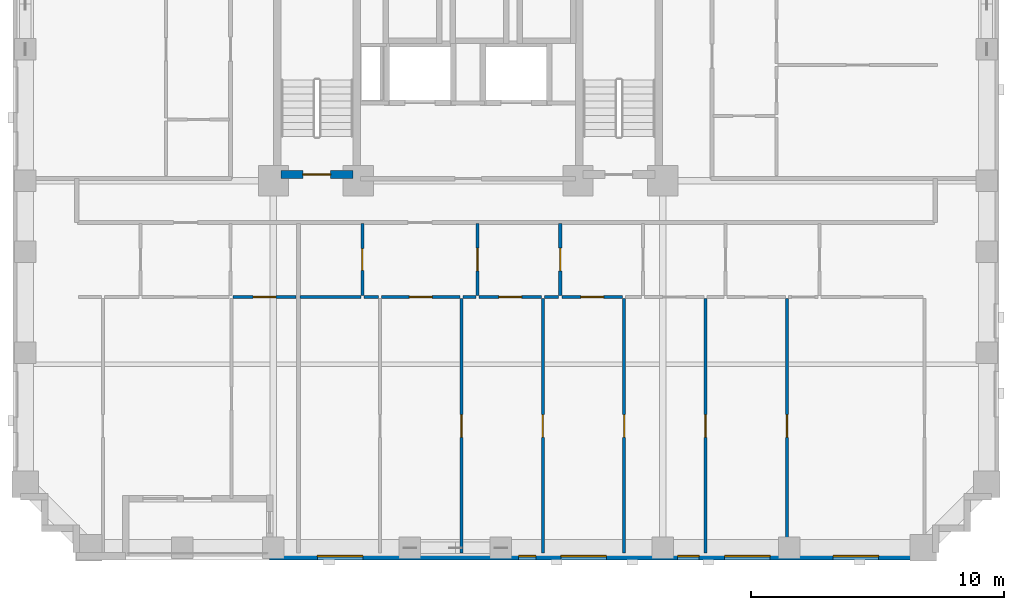
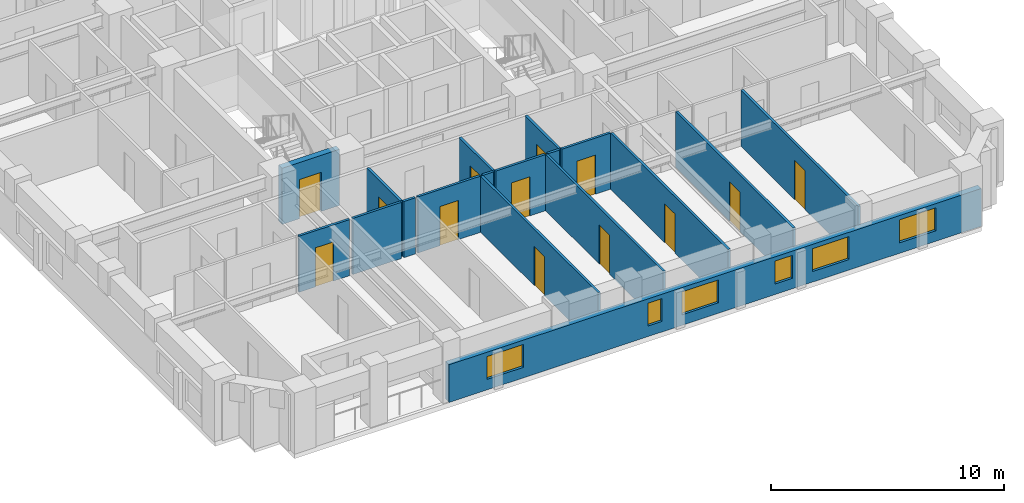
# One storey, part 3 of 14: 18 walls, 13 doors, 6 windows, 19 openings.
"""IFC4 building model written with IfcOpenShell, lengths in metres."""

from ifc_helpers import new_model, si_unit, derived_unit, direction, frame, frame_2d, origin, place, context, subcontext, project, spatial, rectangle, extrude, material, layer, layer_set, type_object, element, fill, save


model = new_model("IFC4")

# Units and contexts
model_context = context("Model", 3, precision=1e-05, world=origin(), true_north=direction((0.0, 1.0)))
body_context = subcontext(model_context, "Body", "Model", "MODEL_VIEW")
ifc_project = project(units=[si_unit("LENGTHUNIT", "METRE"), si_unit("AREAUNIT", "SQUARE_METRE"), si_unit("VOLUMEUNIT", "CUBIC_METRE"), si_unit("PLANEANGLEUNIT", "RADIAN"), si_unit("MASSUNIT", "GRAM", prefix="KILO"), derived_unit("THERMALTRANSMITTANCEUNIT", [(si_unit("MASSUNIT", "GRAM", prefix="KILO"), 1), (si_unit("TIMEUNIT", "SECOND"), -3), (si_unit("THERMODYNAMICTEMPERATUREUNIT", "KELVIN"), -1)])], contexts=[model_context])

# Site, building, storey
site_placement = place(None, origin())
site = spatial("IfcSite", under=ifc_project, at=site_placement, CompositionType="ELEMENT")
building_placement = place(site_placement, origin())
building = spatial("IfcBuilding", under=site, at=building_placement, Name="Korrvale Station Residences", CompositionType="ELEMENT")
storey_placement = place(building_placement, frame((0.0, 0.0, 64.199951171875)))
storey = spatial("IfcBuildingStorey", under=building, at=storey_placement, Name="L17", CompositionType="ELEMENT", Elevation=64.199951171875)

# Wall, opening, door
ifc_material_1 = material(Name="Concrete C70/85", Category="concrete")
ifc_layer_1 = layer(ifc_material_1, 0.300048828125, Name="Concrete C70/85")
ifc_layer_set_1 = layer_set([ifc_layer_1], Name="Concrete C70/85")
wall_type_1 = type_object("IfcWallType", Name="WAL-CORE-300-C70", PredefinedType="SHEAR", material=ifc_layer_set_1)
wall_1_placement = place(storey_placement, frame((18.10009765625, 15.25, 0.0), z_axis=(0.0, 0.0, 1.0), x_axis=(1.0, 0.0, 0.0)))
wall_1 = element("IfcWall", 1, at=wall_1_placement, inside=storey, type_object=wall_type_1, Name="L17 ST-1 Core Shear Wall South", PredefinedType="SHEAR", context=body_context, shape_type="SweptSolid", body=[
    extrude(rectangle(XDim=2.849853515625, YDim=0.300048828125, at=frame_2d((1.4248046875, 0.0))), origin(), (0.0, 0.0, 1.0), 2.93994140625),
])
opening_1_placement = place(wall_1_placement, frame((0.860107421875, 0.0, 0.0)))
opening_1 = element("IfcOpeningElement", 2, at=opening_1_placement, cuts=wall_1, Name="Opening SD-1100", PredefinedType="OPENING", context=body_context, shape_type="SweptSolid", body=[
    extrude(rectangle(XDim=1.10009765625, YDim=2.050048828125, at=frame_2d((0.550048828125, 1.02490234375))), frame((0.0, 0.16015625, 0.0), z_axis=(0.0, -1.0, 0.0), x_axis=(1.0, 0.0, 0.0)), (0.0, 0.0, 1.0), 0.320068359375),
])
ifc_material_2 = material(Name="Hollow-metal fire-rated stair door with closer", Category="steel")
door_type_1 = type_object("IfcDoorType", Name="DR-STAIR-1100", OperationType="NOTDEFINED", PredefinedType="DOOR", material=ifc_material_2)
door_1_placement = place(opening_1_placement, origin())
door_1 = element("IfcDoor", 3, at=door_1_placement, inside=storey, type_object=door_type_1, Name="L17 ST-1 Exit Stair Door", OperationType="SINGLE_SWING_LEFT", OverallHeight=2.050048828125, OverallWidth=1.10009765625, PredefinedType="DOOR", context=body_context, shape_type="SweptSolid", body=[
    extrude(rectangle(XDim=1.10009765625, YDim=2.050048828125, at=frame_2d((0.550048828125, 1.02490234375))), frame((0.0, 0.02490234375, 0.0), z_axis=(0.0, -1.0, 0.0), x_axis=(1.0, 0.0, 0.0)), (0.0, 0.0, 1.0), 0.050048828125),
])
fill(opening_1, door_1)

# Wall, openings, windows
ifc_material_3 = material(Name="Precast concrete C45/55", Category="concrete")
ifc_layer_2 = layer(ifc_material_3, 0.300048828125, Name="Precast concrete C45/55")
ifc_layer_set_2 = layer_set([ifc_layer_2], Name="Precast concrete C45/55")
wall_type_2 = type_object("IfcWallType", Name="WAL-EXT-PC300", PredefinedType="SOLIDWALL", material=ifc_layer_set_2)
wall_2_placement = place(storey_placement, frame((44.0, 0.14990234375, 0.0), z_axis=(0.0, 0.0, 1.0), x_axis=(-1.0, 0.0, 0.0)))
wall_2 = element("IfcWall", 4, at=wall_2_placement, inside=storey, type_object=wall_type_2, Name="L17 South Exterior Precast Wall 1", PredefinedType="SOLIDWALL", context=body_context, shape_type="SweptSolid", body=[
    extrude(rectangle(XDim=26.35009765625, YDim=0.300048828125, at=frame_2d((13.175048828125, 0.0))), origin(), (0.0, 0.0, 1.0), 1.97509765625),
])
opening_2_placement = place(wall_2_placement, frame((22.6650390625, 0.0, 0.550048828125)))
opening_2 = element("IfcOpeningElement", 5, at=opening_2_placement, cuts=wall_2, Name="Opening W-09", PredefinedType="OPENING", context=body_context, shape_type="SweptSolid", body=[
    extrude(rectangle(XDim=1.800048828125, YDim=1.199951171875, at=frame_2d((0.89990234375, 0.60009765625))), frame((0.0, 0.16015625, 0.0), z_axis=(0.0, -1.0, 0.0), x_axis=(1.0, 0.0, 0.0)), (0.0, 0.0, 1.0), 0.320068359375),
])
opening_3_placement = place(wall_2_placement, frame((15.820068359375, 0.0, 0.550048828125)))
opening_3 = element("IfcOpeningElement", 6, at=opening_3_placement, cuts=wall_2, Name="Opening W-12", PredefinedType="OPENING", context=body_context, shape_type="SweptSolid", body=[
    extrude(rectangle(XDim=0.679931640625, YDim=1.199951171875, at=frame_2d((0.33984375, 0.60009765625))), frame((0.0, 0.16015625, 0.0), z_axis=(0.0, -1.0, 0.0), x_axis=(1.0, 0.0, 0.0)), (0.0, 0.0, 1.0), 0.320068359375),
])
opening_4_placement = place(wall_2_placement, frame((13.027099609375, 0.0, 0.550048828125)))
opening_4 = element("IfcOpeningElement", 7, at=opening_4_placement, cuts=wall_2, Name="Opening W-09", PredefinedType="OPENING", context=body_context, shape_type="SweptSolid", body=[
    extrude(rectangle(XDim=1.800048828125, YDim=1.199951171875, at=frame_2d((0.89990234375, 0.60009765625))), frame((0.0, 0.16015625, 0.0), z_axis=(0.0, -1.0, 0.0), x_axis=(1.0, 0.0, 0.0)), (0.0, 0.0, 1.0), 0.320068359375),
])
opening_5_placement = place(wall_2_placement, frame((9.364990234375, 0.0, 0.550048828125)))
opening_5 = element("IfcOpeningElement", 8, at=opening_5_placement, cuts=wall_2, Name="Opening W-11", PredefinedType="OPENING", context=body_context, shape_type="SweptSolid", body=[
    extrude(rectangle(XDim=0.85009765625, YDim=1.199951171875, at=frame_2d((0.425048828125, 0.60009765625))), frame((0.0, 0.16015625, 0.0), z_axis=(0.0, -1.0, 0.0), x_axis=(1.0, 0.0, 0.0)), (0.0, 0.0, 1.0), 0.320068359375),
])
opening_6_placement = place(wall_2_placement, frame((6.552978515625, 0.0, 0.550048828125)))
opening_6 = element("IfcOpeningElement", 9, at=opening_6_placement, cuts=wall_2, Name="Opening W-09", PredefinedType="OPENING", context=body_context, shape_type="SweptSolid", body=[
    extrude(rectangle(XDim=1.800048828125, YDim=1.199951171875, at=frame_2d((0.89990234375, 0.60009765625))), frame((0.0, 0.16015625, 0.0), z_axis=(0.0, -1.0, 0.0), x_axis=(1.0, 0.0, 0.0)), (0.0, 0.0, 1.0), 0.320068359375),
])
opening_7_placement = place(wall_2_placement, frame((2.261962890625, 0.0, 0.550048828125)))
opening_7 = element("IfcOpeningElement", 10, at=opening_7_placement, cuts=wall_2, Name="Opening W-09", PredefinedType="OPENING", context=body_context, shape_type="SweptSolid", body=[
    extrude(rectangle(XDim=1.800048828125, YDim=1.199951171875, at=frame_2d((0.89990234375, 0.60009765625))), frame((0.0, 0.16015625, 0.0), z_axis=(0.0, -1.0, 0.0), x_axis=(1.0, 0.0, 0.0)), (0.0, 0.0, 1.0), 0.320068359375),
])
ifc_material_4 = material(Name="Thermally broken aluminium frame with triple low-e glazing", Category="aluminium")
window_type_1 = type_object("IfcWindowType", Name="WIN-W09", PartitioningType="DOUBLE_PANEL_VERTICAL", PredefinedType="WINDOW", material=ifc_material_4)
window_1_placement = place(opening_2_placement, origin())
window_1 = element("IfcWindow", 11, at=window_1_placement, inside=storey, type_object=window_type_1, Name="L17 Punched Window 05", OverallHeight=1.199951171875, OverallWidth=1.800048828125, PartitioningType="DOUBLE_PANEL_VERTICAL", PredefinedType="WINDOW", context=body_context, shape_type="SweptSolid", body=[
    extrude(rectangle(XDim=1.800048828125, YDim=1.199951171875, at=frame_2d((0.89990234375, 0.60009765625))), frame((0.0, 0.030029296875, 0.0), z_axis=(0.0, -1.0, 0.0), x_axis=(1.0, 0.0, 0.0)), (0.0, 0.0, 1.0), 0.06005859375),
])
fill(opening_2, window_1)
window_2_placement = place(opening_4_placement, origin())
window_2 = element("IfcWindow", 12, at=window_2_placement, inside=storey, type_object=window_type_1, Name="L17 Punched Window 07", OverallHeight=1.199951171875, OverallWidth=1.800048828125, PartitioningType="DOUBLE_PANEL_VERTICAL", PredefinedType="WINDOW", context=body_context, shape_type="SweptSolid", body=[
    extrude(rectangle(XDim=1.800048828125, YDim=1.199951171875, at=frame_2d((0.89990234375, 0.60009765625))), frame((0.0, 0.030029296875, 0.0), z_axis=(0.0, -1.0, 0.0), x_axis=(1.0, 0.0, 0.0)), (0.0, 0.0, 1.0), 0.06005859375),
])
fill(opening_4, window_2)
window_3_placement = place(opening_6_placement, origin())
window_3 = element("IfcWindow", 13, at=window_3_placement, inside=storey, type_object=window_type_1, Name="L17 Punched Window 09", OverallHeight=1.199951171875, OverallWidth=1.800048828125, PartitioningType="DOUBLE_PANEL_VERTICAL", PredefinedType="WINDOW", context=body_context, shape_type="SweptSolid", body=[
    extrude(rectangle(XDim=1.800048828125, YDim=1.199951171875, at=frame_2d((0.89990234375, 0.60009765625))), frame((0.0, 0.030029296875, 0.0), z_axis=(0.0, -1.0, 0.0), x_axis=(1.0, 0.0, 0.0)), (0.0, 0.0, 1.0), 0.06005859375),
])
fill(opening_6, window_3)
window_4_placement = place(opening_7_placement, origin())
window_4 = element("IfcWindow", 14, at=window_4_placement, inside=storey, type_object=window_type_1, Name="L17 Punched Window 10", OverallHeight=1.199951171875, OverallWidth=1.800048828125, PartitioningType="DOUBLE_PANEL_VERTICAL", PredefinedType="WINDOW", context=body_context, shape_type="SweptSolid", body=[
    extrude(rectangle(XDim=1.800048828125, YDim=1.199951171875, at=frame_2d((0.89990234375, 0.60009765625))), frame((0.0, 0.030029296875, 0.0), z_axis=(0.0, -1.0, 0.0), x_axis=(1.0, 0.0, 0.0)), (0.0, 0.0, 1.0), 0.06005859375),
])
fill(opening_7, window_4)
window_type_2 = type_object("IfcWindowType", Name="WIN-W11", PartitioningType="SINGLE_PANEL", PredefinedType="WINDOW", material=ifc_material_4)
window_5_placement = place(opening_5_placement, origin())
window_5 = element("IfcWindow", 15, at=window_5_placement, inside=storey, type_object=window_type_2, Name="L17 Punched Window 08", OverallHeight=1.199951171875, OverallWidth=0.85009765625, PartitioningType="SINGLE_PANEL", PredefinedType="WINDOW", context=body_context, shape_type="SweptSolid", body=[
    extrude(rectangle(XDim=0.85009765625, YDim=1.199951171875, at=frame_2d((0.425048828125, 0.60009765625))), frame((0.0, 0.030029296875, 0.0), z_axis=(0.0, -1.0, 0.0), x_axis=(1.0, 0.0, 0.0)), (0.0, 0.0, 1.0), 0.06005859375),
])
fill(opening_5, window_5)
window_type_3 = type_object("IfcWindowType", Name="WIN-W12", PartitioningType="SINGLE_PANEL", PredefinedType="WINDOW", material=ifc_material_4)
window_6_placement = place(opening_3_placement, origin())
window_6 = element("IfcWindow", 16, at=window_6_placement, inside=storey, type_object=window_type_3, Name="L17 Punched Window 06", OverallHeight=1.199951171875, OverallWidth=0.679931640625, PartitioningType="SINGLE_PANEL", PredefinedType="WINDOW", context=body_context, shape_type="SweptSolid", body=[
    extrude(rectangle(XDim=0.679931640625, YDim=1.199951171875, at=frame_2d((0.33984375, 0.60009765625))), frame((0.0, 0.030029296875, 0.0), z_axis=(0.0, -1.0, 0.0), x_axis=(1.0, 0.0, 0.0)), (0.0, 0.0, 1.0), 0.06005859375),
])
fill(opening_3, window_6)

# Wall, opening, door
ifc_material_5 = material(Name="Acoustic steel-stud gypsum board partition", Category="steel")
ifc_layer_3 = layer(ifc_material_5, 0.1201171875, Name="Acoustic steel-stud gypsum board partition")
ifc_layer_set_3 = layer_set([ifc_layer_3], Name="Acoustic steel-stud gypsum board partition")
wall_type_3 = type_object("IfcWallType", Name="WAL-PART-125", PredefinedType="PARTITIONING", material=ifc_layer_set_3)
wall_3_placement = place(storey_placement, frame((16.196044921875, 10.39990234375, 0.0), z_axis=(0.0, 0.0, 1.0), x_axis=(1.0, 0.0, 0.0)))
wall_3 = element("IfcWall", 17, at=wall_3_placement, inside=storey, type_object=wall_type_3, Name="L17 Suite Partition U01-H25", PredefinedType="PARTITIONING", context=body_context, shape_type="SweptSolid", body=[
    extrude(rectangle(XDim=2.5, YDim=0.1201171875, at=frame_2d((1.25, 0.0))), origin(), (0.0, 0.0, 1.0), 2.93994140625),
])
opening_8_placement = place(wall_3_placement, frame((0.800048828125, 0.0, 0.0)))
opening_8 = element("IfcOpeningElement", 18, at=opening_8_placement, cuts=wall_3, Name="Opening DI-900", PredefinedType="OPENING", context=body_context, shape_type="SweptSolid", body=[
    extrude(rectangle(XDim=0.89990234375, YDim=2.050048828125, at=frame_2d((0.449951171875, 1.02490234375))), frame((0.0, 0.070068359375, 0.0), z_axis=(0.0, -1.0, 0.0), x_axis=(1.0, 0.0, 0.0)), (0.0, 0.0, 1.0), 0.14013671875),
])
ifc_material_6 = material(Name="Painted solid-core timber interior room door", Category="wood")
door_type_2 = type_object("IfcDoorType", Name="DR-INT-900", OperationType="NOTDEFINED", PredefinedType="DOOR", material=ifc_material_6)
door_2_placement = place(opening_8_placement, origin())
door_2 = element("IfcDoor", 19, at=door_2_placement, inside=storey, type_object=door_type_2, Name="L17 Studio Apartment L17-U01 Utility and Laundry Room Door", OperationType="SINGLE_SWING_LEFT", OverallHeight=2.050048828125, OverallWidth=0.89990234375, PredefinedType="DOOR", context=body_context, shape_type="SweptSolid", body=[
    extrude(rectangle(XDim=0.89990234375, YDim=2.050048828125, at=frame_2d((0.449951171875, 1.02490234375))), frame((0.0, 0.02490234375, 0.0), z_axis=(0.0, -1.0, 0.0), x_axis=(1.0, 0.0, 0.0)), (0.0, 0.0, 1.0), 0.050048828125),
])
fill(opening_8, door_2)

wall_4_placement = place(storey_placement, frame((21.31591796875, 10.4599609375, 0.0), z_axis=(0.0, 0.0, 1.0), x_axis=(0.0, 1.0, 0.0)))
wall_4 = element("IfcWall", 20, at=wall_4_placement, inside=storey, type_object=wall_type_3, Name="L17 Suite Partition U02-V01", PredefinedType="PARTITIONING", context=body_context, shape_type="SweptSolid", body=[
    extrude(rectangle(XDim=2.85009765625, YDim=0.1201171875, at=frame_2d((1.425048828125, 0.0))), origin(), (0.0, 0.0, 1.0), 2.93994140625),
])
opening_9_placement = place(wall_4_placement, frame((0.9951171875, 0.0, 0.0)))
opening_9 = element("IfcOpeningElement", 21, at=opening_9_placement, cuts=wall_4, Name="Opening DB-860", PredefinedType="OPENING", context=body_context, shape_type="SweptSolid", body=[
    extrude(rectangle(XDim=0.860107421875, YDim=2.050048828125, at=frame_2d((0.43017578125, 1.02490234375))), frame((0.0, 0.070068359375, 0.0), z_axis=(0.0, -1.0, 0.0), x_axis=(1.0, 0.0, 0.0)), (0.0, 0.0, 1.0), 0.14013671875),
])
ifc_material_7 = material(Name="Moisture-resistant solid-core bathroom door", Category="timber")
door_type_3 = type_object("IfcDoorType", Name="DR-BATH-860", OperationType="NOTDEFINED", PredefinedType="DOOR", material=ifc_material_7)
door_3_placement = place(opening_9_placement, origin())
door_3 = element("IfcDoor", 22, at=door_3_placement, inside=storey, type_object=door_type_3, Name="L17 Studio Apartment L17-U02 Bathroom Door", OperationType="SINGLE_SWING_RIGHT", OverallHeight=2.050048828125, OverallWidth=0.860107421875, PredefinedType="DOOR", context=body_context, shape_type="SweptSolid", body=[
    extrude(rectangle(XDim=0.860107421875, YDim=2.050048828125, at=frame_2d((0.43017578125, 1.02490234375))), frame((0.0, 0.02490234375, 0.0), z_axis=(0.0, -1.0, 0.0), x_axis=(1.0, 0.0, 0.0)), (0.0, 0.0, 1.0), 0.050048828125),
])
fill(opening_9, door_3)

# Wall
wall_5_placement = place(storey_placement, frame((18.85595703125, 10.39990234375, 0.0), z_axis=(0.0, 0.0, 1.0), x_axis=(1.0, 0.0, 0.0)))
element("IfcWall", 23, at=wall_5_placement, inside=storey, type_object=wall_type_3, Name="L17 Suite Partition U02-H07", PredefinedType="PARTITIONING", context=body_context, shape_type="SweptSolid", body=[
    extrude(rectangle(XDim=2.400146484375, YDim=0.1201171875, at=frame_2d((1.2001953125, 0.0))), origin(), (0.0, 0.0, 1.0), 2.93994140625),
])

# Wall, opening, door
wall_6_placement = place(storey_placement, frame((25.8759765625, 10.4599609375, 0.0), z_axis=(0.0, 0.0, 1.0), x_axis=(0.0, 1.0, 0.0)))
wall_6 = element("IfcWall", 24, at=wall_6_placement, inside=storey, type_object=wall_type_3, Name="L17 Suite Partition U02-V12", PredefinedType="PARTITIONING", context=body_context, shape_type="SweptSolid", body=[
    extrude(rectangle(XDim=2.85009765625, YDim=0.1201171875, at=frame_2d((1.425048828125, 0.0))), origin(), (0.0, 0.0, 1.0), 2.93994140625),
])
opening_10_placement = place(wall_6_placement, frame((0.97509765625, 0.0, 0.0)))
opening_10 = element("IfcOpeningElement", 25, at=opening_10_placement, cuts=wall_6, Name="Opening DI-900", PredefinedType="OPENING", context=body_context, shape_type="SweptSolid", body=[
    extrude(rectangle(XDim=0.89990234375, YDim=2.050048828125, at=frame_2d((0.449951171875, 1.02490234375))), frame((0.0, 0.070068359375, 0.0), z_axis=(0.0, -1.0, 0.0), x_axis=(1.0, 0.0, 0.0)), (0.0, 0.0, 1.0), 0.14013671875),
])
door_4_placement = place(opening_10_placement, origin())
door_4 = element("IfcDoor", 26, at=door_4_placement, inside=storey, type_object=door_type_2, Name="L17 Studio Apartment L17-U02 Kitchen Door", OperationType="SINGLE_SWING_LEFT", OverallHeight=2.050048828125, OverallWidth=0.89990234375, PredefinedType="DOOR", context=body_context, shape_type="SweptSolid", body=[
    extrude(rectangle(XDim=0.89990234375, YDim=2.050048828125, at=frame_2d((0.449951171875, 1.02490234375))), frame((0.0, 0.02490234375, 0.0), z_axis=(0.0, -1.0, 0.0), x_axis=(1.0, 0.0, 0.0)), (0.0, 0.0, 1.0), 0.050048828125),
])
fill(opening_10, door_4)

# Wall
wall_7_placement = place(storey_placement, frame((21.3759765625, 10.39990234375, 0.0), z_axis=(0.0, 0.0, 1.0), x_axis=(1.0, 0.0, 0.0)))
element("IfcWall", 27, at=wall_7_placement, inside=storey, type_object=wall_type_3, Name="L17 Suite Partition U02-H17", PredefinedType="PARTITIONING", context=body_context, shape_type="SweptSolid", body=[
    extrude(rectangle(XDim=0.580078125, YDim=0.1201171875, at=frame_2d((0.2900390625, 0.0))), origin(), (0.0, 0.0, 1.0), 2.93994140625),
])

# Wall, opening, door
wall_8_placement = place(storey_placement, frame((22.075927734375, 10.39990234375, 0.0), z_axis=(0.0, 0.0, 1.0), x_axis=(1.0, 0.0, 0.0)))
wall_8 = element("IfcWall", 28, at=wall_8_placement, inside=storey, type_object=wall_type_3, Name="L17 Suite Partition U02-H18", PredefinedType="PARTITIONING", context=body_context, shape_type="SweptSolid", body=[
    extrude(rectangle(XDim=3.10009765625, YDim=0.1201171875, at=frame_2d((1.550048828125, 0.0))), origin(), (0.0, 0.0, 1.0), 2.93994140625),
])
opening_11_placement = place(wall_8_placement, frame((1.10009765625, 0.0, 0.0)))
opening_11 = element("IfcOpeningElement", 29, at=opening_11_placement, cuts=wall_8, Name="Opening DI-900", PredefinedType="OPENING", context=body_context, shape_type="SweptSolid", body=[
    extrude(rectangle(XDim=0.89990234375, YDim=2.050048828125, at=frame_2d((0.449951171875, 1.02490234375))), frame((0.0, 0.070068359375, 0.0), z_axis=(0.0, -1.0, 0.0), x_axis=(1.0, 0.0, 0.0)), (0.0, 0.0, 1.0), 0.14013671875),
])
door_5_placement = place(opening_11_placement, origin())
door_5 = element("IfcDoor", 30, at=door_5_placement, inside=storey, type_object=door_type_2, Name="L17 Studio Apartment L17-U02 Kitchen Door", OperationType="SINGLE_SWING_RIGHT", OverallHeight=2.050048828125, OverallWidth=0.89990234375, PredefinedType="DOOR", context=body_context, shape_type="SweptSolid", body=[
    extrude(rectangle(XDim=0.89990234375, YDim=2.050048828125, at=frame_2d((0.449951171875, 1.02490234375))), frame((0.0, 0.02490234375, 0.0), z_axis=(0.0, -1.0, 0.0), x_axis=(1.0, 0.0, 0.0)), (0.0, 0.0, 1.0), 0.050048828125),
])
fill(opening_11, door_5)

# Wall
wall_9_placement = place(storey_placement, frame((25.2958984375, 10.39990234375, 0.0), z_axis=(0.0, 0.0, 1.0), x_axis=(1.0, 0.0, 0.0)))
element("IfcWall", 31, at=wall_9_placement, inside=storey, type_object=wall_type_3, Name="L17 Suite Partition U02-H19", PredefinedType="PARTITIONING", context=body_context, shape_type="SweptSolid", body=[
    extrude(rectangle(XDim=0.52001953125, YDim=0.1201171875, at=frame_2d((0.260009765625, 0.0))), origin(), (0.0, 0.0, 1.0), 2.93994140625),
])

# Wall, opening, door
wall_10_placement = place(storey_placement, frame((29.14599609375, 10.4599609375, 0.0), z_axis=(0.0, 0.0, 1.0), x_axis=(0.0, 1.0, 0.0)))
wall_10 = element("IfcWall", 32, at=wall_10_placement, inside=storey, type_object=wall_type_3, Name="L17 Suite Partition U02-V23", PredefinedType="PARTITIONING", context=body_context, shape_type="SweptSolid", body=[
    extrude(rectangle(XDim=2.85009765625, YDim=0.1201171875, at=frame_2d((1.425048828125, 0.0))), origin(), (0.0, 0.0, 1.0), 2.93994140625),
])
opening_12_placement = place(wall_10_placement, frame((0.97509765625, 0.0, 0.0)))
opening_12 = element("IfcOpeningElement", 33, at=opening_12_placement, cuts=wall_10, Name="Opening DI-900", PredefinedType="OPENING", context=body_context, shape_type="SweptSolid", body=[
    extrude(rectangle(XDim=0.89990234375, YDim=2.050048828125, at=frame_2d((0.449951171875, 1.02490234375))), frame((0.0, 0.070068359375, 0.0), z_axis=(0.0, -1.0, 0.0), x_axis=(1.0, 0.0, 0.0)), (0.0, 0.0, 1.0), 0.14013671875),
])
door_6_placement = place(opening_12_placement, origin())
door_6 = element("IfcDoor", 34, at=door_6_placement, inside=storey, type_object=door_type_2, Name="L17 Studio Apartment L17-U02 Home Study Room Door", OperationType="SINGLE_SWING_LEFT", OverallHeight=2.050048828125, OverallWidth=0.89990234375, PredefinedType="DOOR", context=body_context, shape_type="SweptSolid", body=[
    extrude(rectangle(XDim=0.89990234375, YDim=2.050048828125, at=frame_2d((0.449951171875, 1.02490234375))), frame((0.0, 0.02490234375, 0.0), z_axis=(0.0, -1.0, 0.0), x_axis=(1.0, 0.0, 0.0)), (0.0, 0.0, 1.0), 0.050048828125),
])
fill(opening_12, door_6)

wall_11_placement = place(storey_placement, frame((25.93603515625, 10.39990234375, 0.0), z_axis=(0.0, 0.0, 1.0), x_axis=(1.0, 0.0, 0.0)))
wall_11 = element("IfcWall", 35, at=wall_11_placement, inside=storey, type_object=wall_type_3, Name="L17 Suite Partition U02-H29", PredefinedType="PARTITIONING", context=body_context, shape_type="SweptSolid", body=[
    extrude(rectangle(XDim=2.4599609375, YDim=0.1201171875, at=frame_2d((1.22998046875, 0.0))), origin(), (0.0, 0.0, 1.0), 2.93994140625),
])
opening_13_placement = place(wall_11_placement, frame((0.780029296875, 0.0, 0.0)))
opening_13 = element("IfcOpeningElement", 36, at=opening_13_placement, cuts=wall_11, Name="Opening DI-900", PredefinedType="OPENING", context=body_context, shape_type="SweptSolid", body=[
    extrude(rectangle(XDim=0.89990234375, YDim=2.050048828125, at=frame_2d((0.449951171875, 1.02490234375))), frame((0.0, 0.070068359375, 0.0), z_axis=(0.0, -1.0, 0.0), x_axis=(1.0, 0.0, 0.0)), (0.0, 0.0, 1.0), 0.14013671875),
])
door_7_placement = place(opening_13_placement, origin())
door_7 = element("IfcDoor", 37, at=door_7_placement, inside=storey, type_object=door_type_2, Name="L17 Studio Apartment L17-U02 Home Study Room Door", OperationType="SINGLE_SWING_RIGHT", OverallHeight=2.050048828125, OverallWidth=0.89990234375, PredefinedType="DOOR", context=body_context, shape_type="SweptSolid", body=[
    extrude(rectangle(XDim=0.89990234375, YDim=2.050048828125, at=frame_2d((0.449951171875, 1.02490234375))), frame((0.0, 0.02490234375, 0.0), z_axis=(0.0, -1.0, 0.0), x_axis=(1.0, 0.0, 0.0)), (0.0, 0.0, 1.0), 0.050048828125),
])
fill(opening_13, door_7)

# Wall
wall_12_placement = place(storey_placement, frame((28.51611328125, 10.39990234375, 0.0), z_axis=(0.0, 0.0, 1.0), x_axis=(1.0, 0.0, 0.0)))
element("IfcWall", 38, at=wall_12_placement, inside=storey, type_object=wall_type_3, Name="L17 Suite Partition U02-H210", PredefinedType="PARTITIONING", context=body_context, shape_type="SweptSolid", body=[
    extrude(rectangle(XDim=0.56982421875, YDim=0.1201171875, at=frame_2d((0.284912109375, 0.0))), origin(), (0.0, 0.0, 1.0), 2.93994140625),
])

# Wall, opening, door
wall_13_placement = place(storey_placement, frame((29.2060546875, 10.39990234375, 0.0), z_axis=(0.0, 0.0, 1.0), x_axis=(1.0, 0.0, 0.0)))
wall_13 = element("IfcWall", 39, at=wall_13_placement, inside=storey, type_object=wall_type_3, Name="L17 Suite Partition U02-H310", PredefinedType="PARTITIONING", context=body_context, shape_type="SweptSolid", body=[
    extrude(rectangle(XDim=2.409912109375, YDim=0.1201171875, at=frame_2d((1.205078125, 0.0))), origin(), (0.0, 0.0, 1.0), 2.93994140625),
])
opening_14_placement = place(wall_13_placement, frame((0.7548828125, 0.0, 0.0)))
opening_14 = element("IfcOpeningElement", 40, at=opening_14_placement, cuts=wall_13, Name="Opening DI-900", PredefinedType="OPENING", context=body_context, shape_type="SweptSolid", body=[
    extrude(rectangle(XDim=0.89990234375, YDim=2.050048828125, at=frame_2d((0.449951171875, 1.02490234375))), frame((0.0, 0.070068359375, 0.0), z_axis=(0.0, -1.0, 0.0), x_axis=(1.0, 0.0, 0.0)), (0.0, 0.0, 1.0), 0.14013671875),
])
door_8_placement = place(opening_14_placement, origin())
door_8 = element("IfcDoor", 41, at=door_8_placement, inside=storey, type_object=door_type_2, Name="L17 Studio Apartment L17-U02 Home Study Room Door", OperationType="SINGLE_SWING_RIGHT", OverallHeight=2.050048828125, OverallWidth=0.89990234375, PredefinedType="DOOR", context=body_context, shape_type="SweptSolid", body=[
    extrude(rectangle(XDim=0.89990234375, YDim=2.050048828125, at=frame_2d((0.449951171875, 1.02490234375))), frame((0.0, 0.02490234375, 0.0), z_axis=(0.0, -1.0, 0.0), x_axis=(1.0, 0.0, 0.0)), (0.0, 0.0, 1.0), 0.050048828125),
])
fill(opening_14, door_8)

wall_14_placement = place(storey_placement, frame((25.236083984375, 0.280029296875, 0.0), z_axis=(0.0, 0.0, 1.0), x_axis=(0.0, 1.0, 0.0)))
wall_14 = element("IfcWall", 42, at=wall_14_placement, inside=storey, type_object=wall_type_3, Name="L17 Suite Partition U02-V89", PredefinedType="PARTITIONING", context=body_context, shape_type="SweptSolid", body=[
    extrude(rectangle(XDim=10.06005859375, YDim=0.1201171875, at=frame_2d((5.030029296875, 0.0))), origin(), (0.0, 0.0, 1.0), 2.93994140625),
])
opening_15_placement = place(wall_14_placement, frame((4.56494140625, 0.0, 0.0)))
opening_15 = element("IfcOpeningElement", 43, at=opening_15_placement, cuts=wall_14, Name="Opening DI-900", PredefinedType="OPENING", context=body_context, shape_type="SweptSolid", body=[
    extrude(rectangle(XDim=0.89990234375, YDim=2.050048828125, at=frame_2d((0.449951171875, 1.02490234375))), frame((0.0, 0.070068359375, 0.0), z_axis=(0.0, -1.0, 0.0), x_axis=(1.0, 0.0, 0.0)), (0.0, 0.0, 1.0), 0.14013671875),
])
door_9_placement = place(opening_15_placement, origin())
door_9 = element("IfcDoor", 44, at=door_9_placement, inside=storey, type_object=door_type_2, Name="L17 Studio Apartment L17-U02 Walk-In Wardrobe Door", OperationType="SINGLE_SWING_RIGHT", OverallHeight=2.050048828125, OverallWidth=0.89990234375, PredefinedType="DOOR", context=body_context, shape_type="SweptSolid", body=[
    extrude(rectangle(XDim=0.89990234375, YDim=2.050048828125, at=frame_2d((0.449951171875, 1.02490234375))), frame((0.0, 0.02490234375, 0.0), z_axis=(0.0, -1.0, 0.0), x_axis=(1.0, 0.0, 0.0)), (0.0, 0.0, 1.0), 0.050048828125),
])
fill(opening_15, door_9)

wall_15_placement = place(storey_placement, frame((28.4560546875, 0.280029296875, 0.0), z_axis=(0.0, 0.0, 1.0), x_axis=(0.0, 1.0, 0.0)))
wall_15 = element("IfcWall", 45, at=wall_15_placement, inside=storey, type_object=wall_type_3, Name="L17 Suite Partition U02-V910", PredefinedType="PARTITIONING", context=body_context, shape_type="SweptSolid", body=[
    extrude(rectangle(XDim=10.06005859375, YDim=0.1201171875, at=frame_2d((5.030029296875, 0.0))), origin(), (0.0, 0.0, 1.0), 2.93994140625),
])
opening_16_placement = place(wall_15_placement, frame((4.56494140625, 0.0, 0.0)))
opening_16 = element("IfcOpeningElement", 46, at=opening_16_placement, cuts=wall_15, Name="Opening DI-900", PredefinedType="OPENING", context=body_context, shape_type="SweptSolid", body=[
    extrude(rectangle(XDim=0.89990234375, YDim=2.050048828125, at=frame_2d((0.449951171875, 1.02490234375))), frame((0.0, 0.070068359375, 0.0), z_axis=(0.0, -1.0, 0.0), x_axis=(1.0, 0.0, 0.0)), (0.0, 0.0, 1.0), 0.14013671875),
])
door_10_placement = place(opening_16_placement, origin())
door_10 = element("IfcDoor", 47, at=door_10_placement, inside=storey, type_object=door_type_2, Name="L17 Studio Apartment L17-U02 Walk-In Wardrobe Door", OperationType="SINGLE_SWING_LEFT", OverallHeight=2.050048828125, OverallWidth=0.89990234375, PredefinedType="DOOR", context=body_context, shape_type="SweptSolid", body=[
    extrude(rectangle(XDim=0.89990234375, YDim=2.050048828125, at=frame_2d((0.449951171875, 1.02490234375))), frame((0.0, 0.02490234375, 0.0), z_axis=(0.0, -1.0, 0.0), x_axis=(1.0, 0.0, 0.0)), (0.0, 0.0, 1.0), 0.050048828125),
])
fill(opening_16, door_10)

wall_16_placement = place(storey_placement, frame((31.676025390625, 0.280029296875, 0.0), z_axis=(0.0, 0.0, 1.0), x_axis=(0.0, 1.0, 0.0)))
wall_16 = element("IfcWall", 48, at=wall_16_placement, inside=storey, type_object=wall_type_3, Name="L17 Suite Partition U02-V1011", PredefinedType="PARTITIONING", context=body_context, shape_type="SweptSolid", body=[
    extrude(rectangle(XDim=10.06005859375, YDim=0.1201171875, at=frame_2d((5.030029296875, 0.0))), origin(), (0.0, 0.0, 1.0), 2.93994140625),
])
opening_17_placement = place(wall_16_placement, frame((4.56494140625, 0.0, 0.0)))
opening_17 = element("IfcOpeningElement", 49, at=opening_17_placement, cuts=wall_16, Name="Opening DI-900", PredefinedType="OPENING", context=body_context, shape_type="SweptSolid", body=[
    extrude(rectangle(XDim=0.89990234375, YDim=2.050048828125, at=frame_2d((0.449951171875, 1.02490234375))), frame((0.0, 0.070068359375, 0.0), z_axis=(0.0, -1.0, 0.0), x_axis=(1.0, 0.0, 0.0)), (0.0, 0.0, 1.0), 0.14013671875),
])
door_11_placement = place(opening_17_placement, origin())
door_11 = element("IfcDoor", 50, at=door_11_placement, inside=storey, type_object=door_type_2, Name="L17 Studio Apartment L17-U02 Formal Dining Room Door", OperationType="SINGLE_SWING_RIGHT", OverallHeight=2.050048828125, OverallWidth=0.89990234375, PredefinedType="DOOR", context=body_context, shape_type="SweptSolid", body=[
    extrude(rectangle(XDim=0.89990234375, YDim=2.050048828125, at=frame_2d((0.449951171875, 1.02490234375))), frame((0.0, 0.02490234375, 0.0), z_axis=(0.0, -1.0, 0.0), x_axis=(1.0, 0.0, 0.0)), (0.0, 0.0, 1.0), 0.050048828125),
])
fill(opening_17, door_11)

wall_17_placement = place(storey_placement, frame((34.89599609375, 0.280029296875, 0.0), z_axis=(0.0, 0.0, 1.0), x_axis=(0.0, 1.0, 0.0)))
wall_17 = element("IfcWall", 51, at=wall_17_placement, inside=storey, type_object=wall_type_3, Name="L17 Suite Partition U02-V1112", PredefinedType="PARTITIONING", context=body_context, shape_type="SweptSolid", body=[
    extrude(rectangle(XDim=10.06005859375, YDim=0.1201171875, at=frame_2d((5.030029296875, 0.0))), origin(), (0.0, 0.0, 1.0), 2.93994140625),
])
opening_18_placement = place(wall_17_placement, frame((4.56494140625, 0.0, 0.0)))
opening_18 = element("IfcOpeningElement", 52, at=opening_18_placement, cuts=wall_17, Name="Opening DI-900", PredefinedType="OPENING", context=body_context, shape_type="SweptSolid", body=[
    extrude(rectangle(XDim=0.89990234375, YDim=2.050048828125, at=frame_2d((0.449951171875, 1.02490234375))), frame((0.0, 0.070068359375, 0.0), z_axis=(0.0, -1.0, 0.0), x_axis=(1.0, 0.0, 0.0)), (0.0, 0.0, 1.0), 0.14013671875),
])
door_12_placement = place(opening_18_placement, origin())
door_12 = element("IfcDoor", 53, at=door_12_placement, inside=storey, type_object=door_type_2, Name="L17 Studio Apartment L17-U02 Walk-In Wardrobe Door", OperationType="SINGLE_SWING_LEFT", OverallHeight=2.050048828125, OverallWidth=0.89990234375, PredefinedType="DOOR", context=body_context, shape_type="SweptSolid", body=[
    extrude(rectangle(XDim=0.89990234375, YDim=2.050048828125, at=frame_2d((0.449951171875, 1.02490234375))), frame((0.0, 0.02490234375, 0.0), z_axis=(0.0, -1.0, 0.0), x_axis=(1.0, 0.0, 0.0)), (0.0, 0.0, 1.0), 0.050048828125),
])
fill(opening_18, door_12)

wall_18_placement = place(storey_placement, frame((38.115966796875, 0.280029296875, 0.0), z_axis=(0.0, 0.0, 1.0), x_axis=(0.0, 1.0, 0.0)))
wall_18 = element("IfcWall", 54, at=wall_18_placement, inside=storey, type_object=wall_type_3, Name="L17 Suite Partition U02-V1213", PredefinedType="PARTITIONING", context=body_context, shape_type="SweptSolid", body=[
    extrude(rectangle(XDim=10.06005859375, YDim=0.1201171875, at=frame_2d((5.030029296875, 0.0))), origin(), (0.0, 0.0, 1.0), 2.93994140625),
])
opening_19_placement = place(wall_18_placement, frame((4.56494140625, 0.0, 0.0)))
opening_19 = element("IfcOpeningElement", 55, at=opening_19_placement, cuts=wall_18, Name="Opening DI-900", PredefinedType="OPENING", context=body_context, shape_type="SweptSolid", body=[
    extrude(rectangle(XDim=0.89990234375, YDim=2.050048828125, at=frame_2d((0.449951171875, 1.02490234375))), frame((0.0, 0.070068359375, 0.0), z_axis=(0.0, -1.0, 0.0), x_axis=(1.0, 0.0, 0.0)), (0.0, 0.0, 1.0), 0.14013671875),
])
door_13_placement = place(opening_19_placement, origin())
door_13 = element("IfcDoor", 56, at=door_13_placement, inside=storey, type_object=door_type_2, Name="L17 Studio Apartment L17-U02 Formal Dining Room Door", OperationType="SINGLE_SWING_RIGHT", OverallHeight=2.050048828125, OverallWidth=0.89990234375, PredefinedType="DOOR", context=body_context, shape_type="SweptSolid", body=[
    extrude(rectangle(XDim=0.89990234375, YDim=2.050048828125, at=frame_2d((0.449951171875, 1.02490234375))), frame((0.0, 0.02490234375, 0.0), z_axis=(0.0, -1.0, 0.0), x_axis=(1.0, 0.0, 0.0)), (0.0, 0.0, 1.0), 0.050048828125),
])
fill(opening_19, door_13)

save(model, "model.ifc")
